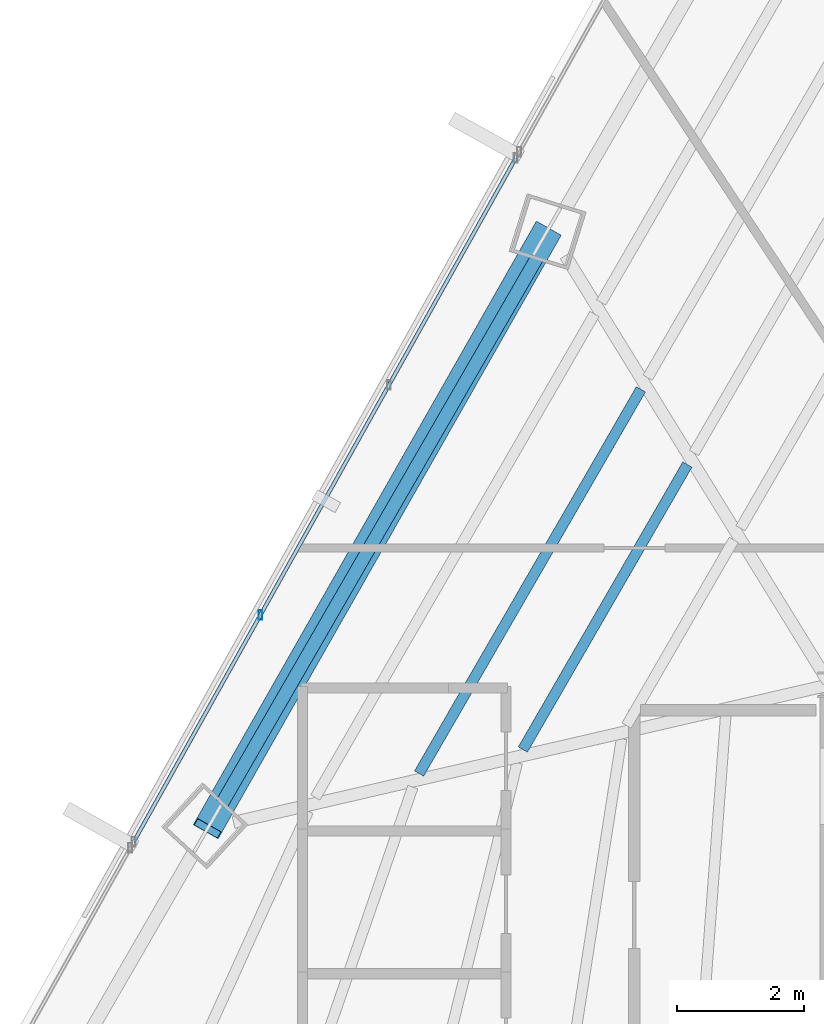
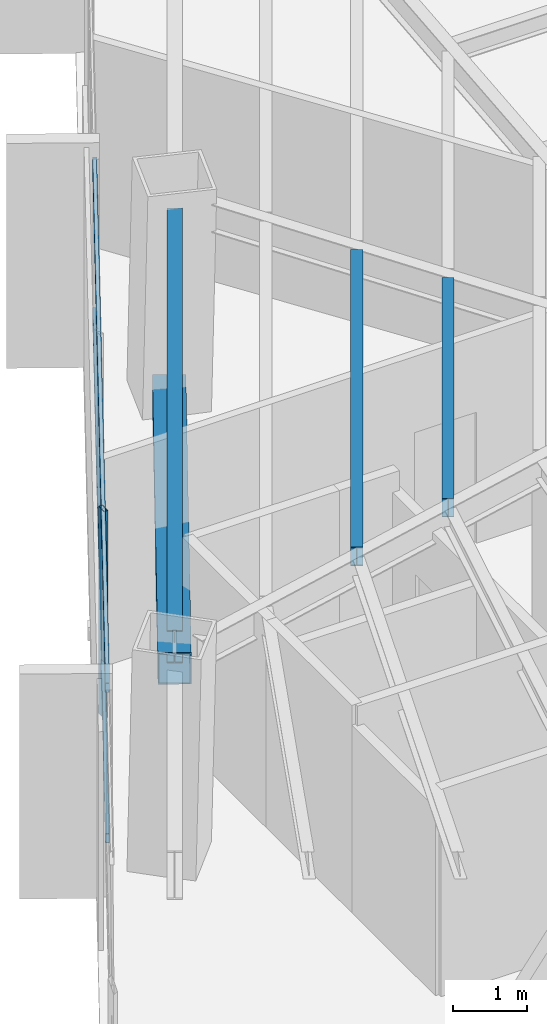
# One storey, part 14 of 39: 4 members, 3 beams, 1 element without a shape of its own.
"""IFC4 building model written with IfcOpenShell, lengths in metres."""

from ifc_helpers import new_model, si_unit, direction, frame, origin, origin_2d, place, context, subcontext, project, spatial, hollow_rectangle, i_section, extrude, source, transform, mapped, material, material_profile, profile_set, type_object, type_shapes, element, aggregate, save


model = new_model("IFC4")

# Units and contexts
model_context = context("Model", 3, precision=1e-05, world=origin(), true_north=direction((0.0, 1.0)))
body_context = subcontext(model_context, "Body", "Model", "MODEL_VIEW")
ifc_project = project(units=[si_unit("LENGTHUNIT", "METRE"), si_unit("AREAUNIT", "SQUARE_METRE"), si_unit("VOLUMEUNIT", "CUBIC_METRE"), si_unit("PLANEANGLEUNIT", "RADIAN"), si_unit("MASSUNIT", "GRAM", prefix="KILO")], contexts=[model_context])

# Site, building, storey
site_placement = place(None, origin())
site = spatial("IfcSite", under=ifc_project, at=site_placement, CompositionType="ELEMENT")
building_placement = place(site_placement, origin())
building = spatial("IfcBuilding", under=site, at=building_placement, Name="Caelisora Broadcast Tower", CompositionType="ELEMENT")
storey_placement = place(building_placement, frame((0.0, 0.0, 142.75)))
storey = spatial("IfcBuildingStorey", under=building, at=storey_placement, Name="L37", CompositionType="ELEMENT", Elevation=142.75)

# Beams
ifc_material_1 = material(Name="Steel Grade 350 (AS/NZS 3679.1)", Category="steel")
ifc_material_profile_1 = material_profile(ifc_material_1, i_section(OverallWidth=0.208984375, OverallDepth=0.532958984375, WebThickness=0.01025390625, FlangeThickness=0.015625, at=origin_2d()), Name="Steel Grade 350 (AS/NZS 3679.1)")
ifc_profile_set_1 = profile_set([ifc_material_profile_1], Name="Steel Grade 350 (AS/NZS 3679.1)")
beam_type_1 = type_object("IfcBeamType", Name="PG05", PredefinedType="BEAM", material=ifc_profile_set_1)
shared_shape_1 = source(origin(), body_context, "Body", "SweptSolid", [
    extrude(i_section(OverallWidth=0.208984375, OverallDepth=0.532958984375, WebThickness=0.01025390625, FlangeThickness=0.015625, at=origin_2d()), origin(), (0.0, 0.0, 1.0), 9.9013671875),
])
type_shapes(beam_type_1, [shared_shape_1])
beam_1_placement = place(storey_placement, frame((25.885498046875, 36.7109375, 3.133544921875), z_axis=(-0.499994942134, -0.866028323925, 0.0), x_axis=(0.866028323925, -0.499994942134, 0.0)))
element("IfcBeam", 1, at=beam_1_placement, inside=storey, type_object=beam_type_1, Name="L37 beam PG05", PredefinedType="BEAM", context=body_context, shape_type="MappedRepresentation", body=[
    mapped(shared_shape_1, transform((0.0, 0.0, 0.0), scale=1.0)),
])
ifc_material_profile_2 = material_profile(ifc_material_1, i_section(OverallWidth=0.166015625, OverallDepth=0.30712890625, WebThickness=0.006591796875, FlangeThickness=0.01171875, at=origin_2d()), Name="Steel Grade 350 (AS/NZS 3679.1)")
ifc_profile_set_2 = profile_set([ifc_material_profile_2], Name="Steel Grade 350 (AS/NZS 3679.1)")
beam_type_2 = type_object("IfcBeamType", Name="SB03", PredefinedType="JOIST", material=ifc_profile_set_2)
shared_shape_2 = source(origin(), body_context, "Body", "SweptSolid", [
    extrude(i_section(OverallWidth=0.166015625, OverallDepth=0.30712890625, WebThickness=0.006591796875, FlangeThickness=0.01171875, at=origin_2d()), origin(), (0.0, 0.0, 1.0), 5.177734375),
])
beam_2_placement = place(storey_placement, frame((28.2548828125, 33.46337890625, 3.246337890625), z_axis=(-0.499957831142, -0.866049748617, 0.0), x_axis=(0.866049748617, -0.499957831142, 0.0)))
element("IfcBeam", 2, at=beam_2_placement, inside=storey, type_object=beam_type_2, Name="L37 beam SB03", PredefinedType="JOIST", context=body_context, shape_type="MappedRepresentation", body=[
    mapped(shared_shape_2, transform((0.0, 0.0, 0.0), scale=1.0)),
])
shared_shape_3 = source(origin(), body_context, "Body", "SweptSolid", [
    extrude(i_section(OverallWidth=0.166015625, OverallDepth=0.30712890625, WebThickness=0.006591796875, FlangeThickness=0.01171875, at=origin_2d()), origin(), (0.0, 0.0, 1.0), 6.981201171875),
])
type_shapes(beam_type_2, [shared_shape_2, shared_shape_3])
beam_3_placement = place(storey_placement, frame((27.5244140625, 34.648193359375, 3.246337890625), z_axis=(-0.500013059815, -0.866017863565, 0.0), x_axis=(0.866017863565, -0.500013059815, 0.0)))
element("IfcBeam", 3, at=beam_3_placement, inside=storey, type_object=beam_type_2, Name="L37 beam SB03", PredefinedType="JOIST", context=body_context, shape_type="MappedRepresentation", body=[
    mapped(shared_shape_3, transform((0.0, 0.0, 0.0), scale=1.0)),
])

# Member
ifc_material_2 = material(Name="Steel Grade 450 (AS/NZS 1163 C450L0)", Category="steel")
ifc_material_profile_3 = material_profile(ifc_material_2, hollow_rectangle(XDim=0.449951171875, YDim=0.449951171875, WallThickness=0.01611328125, at=origin_2d()), Name="Steel Grade 450 (AS/NZS 1163 C450L0)")
ifc_profile_set_3 = profile_set([ifc_material_profile_3], Name="Steel Grade 450 (AS/NZS 1163 C450L0)")
member_type_1 = type_object("IfcMemberType", Name="BR03", PredefinedType="BRACE", material=ifc_profile_set_3)
shared_shape_4 = source(origin(), body_context, "Body", "SweptSolid", [
    extrude(hollow_rectangle(XDim=0.449951171875, YDim=0.449951171875, WallThickness=0.01611328125, at=origin_2d()), origin(), (0.0, 0.0, 1.0), 11.21435546875),
])
type_shapes(member_type_1, [shared_shape_4])
member_1_placement = place(storey_placement, frame((26.044921875, 37.13134765625, 0.10009765625), z_axis=(-0.476186576975, -0.837664285753, 0.267516145836), x_axis=(0.869349124938, -0.494198440881, 0.0)))
element("IfcMember", 4, at=member_1_placement, inside=storey, type_object=member_type_1, Name="L37 perimeter brace BR03", PredefinedType="BRACE", context=body_context, shape_type="MappedRepresentation", body=[
    mapped(shared_shape_4, transform((0.0, 0.0, 0.0), scale=1.0)),
])

# Curtain wall, members
ifc_material_3 = material(Name="Unitised Aluminium Insulated Shadow-Box Spandrel Curtain Wall", Category="aluminium")
curtain_wall_type = type_object("IfcCurtainWallType", Name="CW-SP2", PredefinedType="NOTDEFINED", material=ifc_material_3)
curtain_wall_placement = place(storey_placement, origin())
curtain_wall = element("IfcCurtainWall", 5, at=curtain_wall_placement, inside=storey, type_object=curtain_wall_type, Name="L37 curtain wall CW-SP2", PredefinedType="NOTDEFINED")
ifc_material_4 = material(Name="Aluminium 6063-T6 Anodised Terracotta Bronze", Category="aluminium")
ifc_material_profile_4 = material_profile(ifc_material_4, hollow_rectangle(XDim=0.06005859375, YDim=0.14990234375, WallThickness=0.00341796875, at=origin_2d()), Name="Aluminium 6063-T6 Anodised Terracotta Bronze")
ifc_profile_set_4 = profile_set([ifc_material_profile_4], Name="Aluminium 6063-T6 Anodised Terracotta Bronze")
member_type_2 = type_object("IfcMemberType", Name="CWM-03", PredefinedType="MULLION", material=ifc_profile_set_4)
shared_shape_5 = source(origin(), body_context, "Body", "SweptSolid", [
    extrude(hollow_rectangle(XDim=0.06005859375, YDim=0.14990234375, WallThickness=0.00341796875, at=origin_2d()), origin(), (0.0, 0.0, 1.0), 3.39990234375),
])
type_shapes(member_type_2, [shared_shape_5])
member_2_placement = place(storey_placement, frame((21.537841796875, 31.09814453125, 0.0), z_axis=(0.0, 0.0, 1.0), x_axis=(1.0, 0.0, 0.0)))
member_2 = element("IfcMember", 6, at=member_2_placement, type_object=member_type_2, Name="L37-CW-B10 mullion #1", PredefinedType="MULLION", context=body_context, shape_type="MappedRepresentation", body=[
    mapped(shared_shape_5, transform((0.0, 0.0, 0.0), scale=1.0)),
])
ifc_material_profile_5 = material_profile(ifc_material_4, hollow_rectangle(XDim=0.06005859375, YDim=0.14990234375, WallThickness=0.00341796875, at=origin_2d()), Name="Aluminium 6063-T6 Anodised Terracotta Bronze")
ifc_profile_set_5 = profile_set([ifc_material_profile_5], Name="Aluminium 6063-T6 Anodised Terracotta Bronze")
member_type_3 = type_object("IfcMemberType", Name="CWT-02", PredefinedType="USERDEFINED", material=ifc_profile_set_5)
shared_shape_6 = source(origin(), body_context, "Body", "SweptSolid", [
    extrude(hollow_rectangle(XDim=0.06005859375, YDim=0.14990234375, WallThickness=0.00341796875, at=origin_2d()), origin(), (0.0, 0.0, 1.0), 12.32763671875),
])
type_shapes(member_type_3, [shared_shape_6])
member_3_placement = place(storey_placement, frame((19.54150390625, 27.525390625, 0.85009765625), z_axis=(0.487776970604, 0.87296828519, 0.0), x_axis=(-0.87296828519, 0.487776970604, 0.0)))
member_3 = element("IfcMember", 7, at=member_3_placement, type_object=member_type_3, Name="L37-CW-B10 transom #1", ObjectType="TRANSOM", PredefinedType="USERDEFINED", context=body_context, shape_type="MappedRepresentation", body=[
    mapped(shared_shape_6, transform((0.0, 0.0, 0.0), scale=1.0)),
])
member_4_placement = place(storey_placement, frame((19.54150390625, 27.525390625, 3.320068359375), z_axis=(0.487776970604, 0.87296828519, 0.0), x_axis=(-0.87296828519, 0.487776970604, 0.0)))
member_4 = element("IfcMember", 8, at=member_4_placement, type_object=member_type_3, Name="L37-CW-B10 transom #2", ObjectType="TRANSOM", PredefinedType="USERDEFINED", context=body_context, shape_type="MappedRepresentation", body=[
    mapped(shared_shape_6, transform((0.0, 0.0, 0.0), scale=1.0)),
])
aggregate(curtain_wall, [member_2, member_3, member_4])

save(model, "model.ifc")
